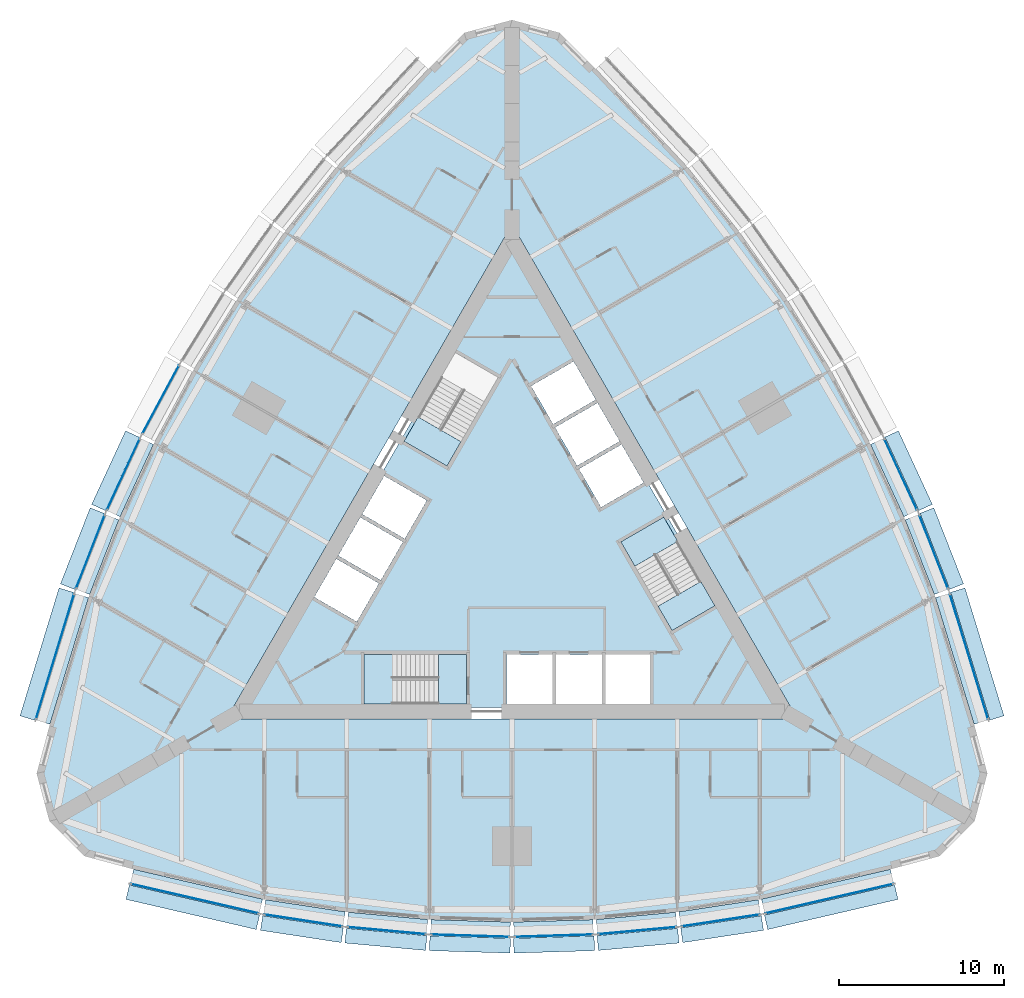
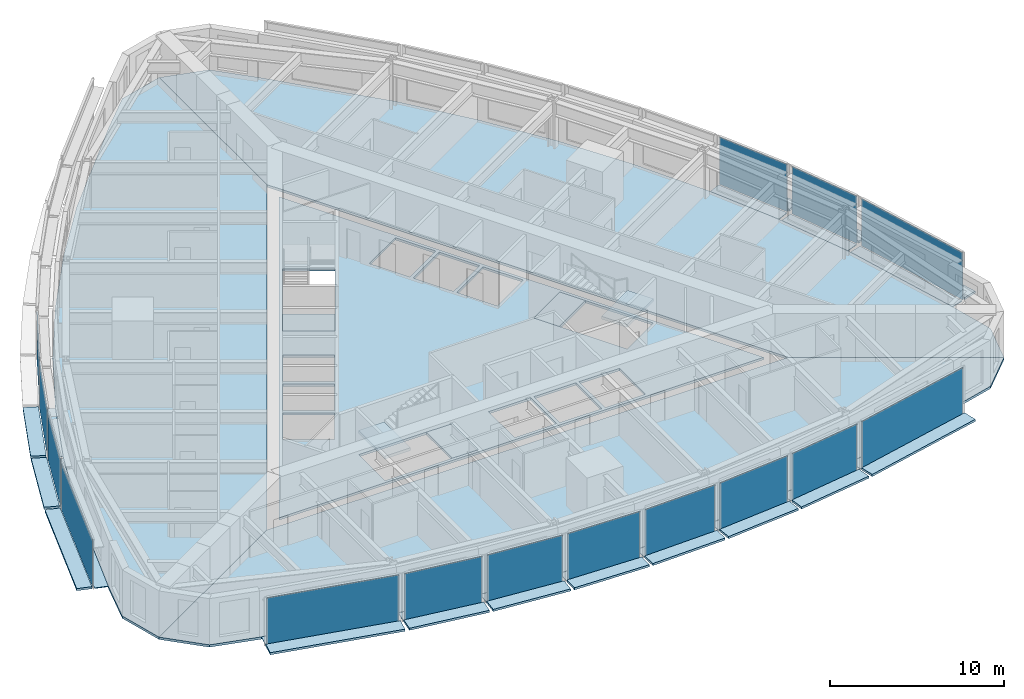
# One storey, part 6 of 14: 43 plates, 9 slabs, 18 elements without a shape of their own.
"""IFC4 building model written with IfcOpenShell, lengths in metres."""

from ifc_helpers import new_model, si_unit, direction, frame, origin, origin_2d, place, context, subcontext, project, spatial, polyline, rectangle, outline, extrude, material, layer, layer_set, type_object, element, aggregate, save


model = new_model("IFC4")

# Units and contexts
model_context = context("Model", 3, precision=1e-05, world=origin(), true_north=direction((0.0, 1.0)))
body_context = subcontext(model_context, "Body", "Model", "MODEL_VIEW")
ifc_project = project(units=[si_unit("LENGTHUNIT", "METRE"), si_unit("AREAUNIT", "SQUARE_METRE"), si_unit("VOLUMEUNIT", "CUBIC_METRE"), si_unit("PLANEANGLEUNIT", "RADIAN"), si_unit("MASSUNIT", "GRAM", prefix="KILO")], contexts=[model_context])

# Site, building, storey
site_placement = place(None, origin())
site = spatial("IfcSite", under=ifc_project, at=site_placement, CompositionType="ELEMENT")
building_placement = place(site_placement, origin())
building = spatial("IfcBuilding", under=site, at=building_placement, Name="Trikona Tower", CompositionType="ELEMENT")
storey_placement = place(building_placement, frame((0.0, 0.0, 96.5)))
storey = spatial("IfcBuildingStorey", under=building, at=storey_placement, Name="L25", CompositionType="ELEMENT", Elevation=96.5)

# Plates
ifc_material_1 = material(Name="Aluminium bar grating", Category="aluminium")
ifc_layer_1 = layer(ifc_material_1, 0.050048828125)
ifc_layer_set_1 = layer_set([ifc_layer_1], Name="Cavity catwalk grating")
plate_type_1 = type_object("IfcPlateType", Name="Cavity catwalk grating", PredefinedType="USERDEFINED", material=ifc_layer_set_1)
plate_1_placement = place(storey_placement, frame((-19.09228515625, -20.377197265625, -0.0498046875), z_axis=(0.0, 0.0, 1.0), x_axis=(0.974277718622, -0.225350675607, 0.0)))
element("IfcPlate", 1, at=plate_1_placement, inside=storey, type_object=plate_type_1, Name="Cavity catwalk L25-00", ObjectType="CATWALK GRATING", PredefinedType="USERDEFINED", context=body_context, shape_type="SweptSolid", body=[
    extrude(rectangle(XDim=8.01123046875, YDim=0.820068359375, at=origin_2d()), origin(), (0.0, 0.0, 1.0), 0.050048828125),
])
plate_2_placement = place(storey_placement, frame((-12.561767578125, -21.688720703125, -0.0498046875), z_axis=(0.0, 0.0, 1.0), x_axis=(0.988617896768, -0.150448177754, 0.0)))
element("IfcPlate", 2, at=plate_2_placement, inside=storey, type_object=plate_type_1, Name="Cavity catwalk L25-01", ObjectType="CATWALK GRATING", PredefinedType="USERDEFINED", context=body_context, shape_type="SweptSolid", body=[
    extrude(rectangle(XDim=4.857666015625, YDim=0.820068359375, at=origin_2d()), origin(), (0.0, 0.0, 1.0), 0.050048828125),
])
plate_3_placement = place(storey_placement, frame((-7.537353515625, -22.300537109375, -0.0498046875), z_axis=(0.0, 0.0, 1.0), x_axis=(0.995858098326, -0.090921108655, 0.0)))
element("IfcPlate", 3, at=plate_3_placement, inside=storey, type_object=plate_type_1, Name="Cavity catwalk L25-02", ObjectType="CATWALK GRATING", PredefinedType="USERDEFINED", context=body_context, shape_type="SweptSolid", body=[
    extrude(rectangle(XDim=4.82080078125, YDim=0.820068359375, at=origin_2d()), origin(), (0.0, 0.0, 1.0), 0.050048828125),
])
for number, where, z_axis, x_axis, name in (
    (4, (-2.512451171875, -22.606201171875, -0.0498046875), (0.0, 0.0, 1.0), (0.999537048889, -0.030425119525, 0.0), "Cavity catwalk L25-03"),
    (5, (2.512451171875, -22.606201171875, -0.0498046875), (0.0, 0.0, 1.0), (0.999537048889, 0.030425119525, 0.0), "Cavity catwalk L25-04"),
):
    element("IfcPlate", number, at=place(storey_placement, frame(where, z_axis=z_axis, x_axis=x_axis)), inside=storey, type_object=plate_type_1, Name=name, ObjectType="CATWALK GRATING", PredefinedType="USERDEFINED", context=body_context, shape_type="SweptSolid", body=[
        extrude(rectangle(XDim=4.80224609375, YDim=0.820068359375, at=origin_2d()), origin(), (0.0, 0.0, 1.0), 0.050048828125),
    ])
plate_4_placement = place(storey_placement, frame((7.537353515625, -22.300537109375, -0.0498046875), z_axis=(0.0, 0.0, 1.0), x_axis=(0.995858098326, 0.090921108655, 0.0)))
element("IfcPlate", 6, at=plate_4_placement, inside=storey, type_object=plate_type_1, Name="Cavity catwalk L25-05", ObjectType="CATWALK GRATING", PredefinedType="USERDEFINED", context=body_context, shape_type="SweptSolid", body=[
    extrude(rectangle(XDim=4.82080078125, YDim=0.820068359375, at=origin_2d()), origin(), (0.0, 0.0, 1.0), 0.050048828125),
])
plate_5_placement = place(storey_placement, frame((12.561767578125, -21.688720703125, -0.0498046875), z_axis=(0.0, 0.0, 1.0), x_axis=(0.988617896768, 0.150448177754, 0.0)))
element("IfcPlate", 7, at=plate_5_placement, inside=storey, type_object=plate_type_1, Name="Cavity catwalk L25-06", ObjectType="CATWALK GRATING", PredefinedType="USERDEFINED", context=body_context, shape_type="SweptSolid", body=[
    extrude(rectangle(XDim=4.857666015625, YDim=0.820068359375, at=origin_2d()), origin(), (0.0, 0.0, 1.0), 0.050048828125),
])
for number, where, z_axis, x_axis, name in (
    (8, (19.09228515625, -20.377197265625, -0.0498046875), (0.0, 0.0, 1.0), (0.974277718622, 0.225350675607, 0.0), "Cavity catwalk L25-07"),
    (9, (27.193359375, -6.345947265625, -0.0498046875), (0.0, 0.0, 1.0), (-0.291979449475, 0.956424592471, 0.0), "Cavity catwalk L25-12"),
):
    element("IfcPlate", number, at=place(storey_placement, frame(where, z_axis=z_axis, x_axis=x_axis)), inside=storey, type_object=plate_type_1, Name=name, ObjectType="CATWALK GRATING", PredefinedType="USERDEFINED", context=body_context, shape_type="SweptSolid", body=[
        extrude(rectangle(XDim=8.01123046875, YDim=0.820068359375, at=origin_2d()), origin(), (0.0, 0.0, 1.0), 0.050048828125),
    ])
plate_6_placement = place(storey_placement, frame((25.06396484375, -0.034423828125, -0.0498046875), z_axis=(0.0, 0.0, 1.0), x_axis=(-0.364008876551, 0.931395478726, 0.0)))
element("IfcPlate", 10, at=plate_6_placement, inside=storey, type_object=plate_type_1, Name="Cavity catwalk L25-13", ObjectType="CATWALK GRATING", PredefinedType="USERDEFINED", context=body_context, shape_type="SweptSolid", body=[
    extrude(rectangle(XDim=4.857666015625, YDim=0.820068359375, at=origin_2d()), origin(), (0.0, 0.0, 1.0), 0.050048828125),
])
for number, where, z_axis, x_axis, name in (
    (11, (23.081298828125, 4.622802734375, -0.0498046875), (0.0, 0.0, 1.0), (-0.41919381307, 0.907896771161, 0.0), "Cavity catwalk L25-14"),
    (12, (-23.081298828125, 4.622802734375, -0.0498046875), (0.0, 0.0, 1.0), (-0.41919381307, -0.907896771161, 0.0), "Cavity catwalk L25-29"),
):
    element("IfcPlate", number, at=place(storey_placement, frame(where, z_axis=z_axis, x_axis=x_axis)), inside=storey, type_object=plate_type_1, Name=name, ObjectType="CATWALK GRATING", PredefinedType="USERDEFINED", context=body_context, shape_type="SweptSolid", body=[
        extrude(rectangle(XDim=4.82080078125, YDim=0.820068359375, at=origin_2d()), origin(), (0.0, 0.0, 1.0), 0.050048828125),
    ])
plate_7_placement = place(storey_placement, frame((-25.06396484375, -0.034423828125, -0.0498046875), z_axis=(0.0, 0.0, 1.0), x_axis=(-0.364008876551, -0.931395478726, 0.0)))
element("IfcPlate", 13, at=plate_7_placement, inside=storey, type_object=plate_type_1, Name="Cavity catwalk L25-30", ObjectType="CATWALK GRATING", PredefinedType="USERDEFINED", context=body_context, shape_type="SweptSolid", body=[
    extrude(rectangle(XDim=4.857666015625, YDim=0.820068359375, at=origin_2d()), origin(), (0.0, 0.0, 1.0), 0.050048828125),
])
plate_8_placement = place(storey_placement, frame((-27.193359375, -6.345947265625, -0.0498046875), z_axis=(0.0, 0.0, 1.0), x_axis=(-0.291979449475, -0.956424592471, 0.0)))
element("IfcPlate", 14, at=plate_8_placement, inside=storey, type_object=plate_type_1, Name="Cavity catwalk L25-31", ObjectType="CATWALK GRATING", PredefinedType="USERDEFINED", context=body_context, shape_type="SweptSolid", body=[
    extrude(rectangle(XDim=8.01123046875, YDim=0.820068359375, at=origin_2d()), origin(), (0.0, 0.0, 1.0), 0.050048828125),
])

# Slabs
ifc_material_2 = material(Name="Concrete f'c 5000 psi lightweight on composite steel deck", Category="concrete")
ifc_layer_2 = layer(ifc_material_2, 0.1650390625)
ifc_layer_set_2 = layer_set([ifc_layer_2], Name="Composite floor slab 165")
slab_type_1 = type_object("IfcSlabType", Name="Composite floor slab 165", PredefinedType="FLOOR", material=ifc_layer_set_2)
slab_1_placement = place(storey_placement, frame((0.0, 0.0, -0.1650390625)))
element("IfcSlab", 15, at=slab_1_placement, inside=storey, type_object=slab_type_1, Name="Floor slab L25 core", PredefinedType="FLOOR", context=body_context, shape_type="SweptSolid", body=[
    extrude(outline(polyline([(-16.06689453125, -9.2763671875), (16.06689453125, -9.2763671875), (0.0, 18.552490234375), (-16.06689453125, -9.2763671875)]), holes=[polyline([(12.285400390625, -3.126220703125), (9.185302734375, 2.2431640625), (6.587158203125, 0.7431640625), (9.687255859375, -4.626220703125), (12.285400390625, -3.126220703125)]), polyline([(8.340087890625, -9.06640625), (8.340087890625, -6.086181640625), (5.659912109375, -6.086181640625), (5.659912109375, -9.06640625), (8.340087890625, -9.06640625)]), polyline([(5.390869140625, 2.835205078125), (7.9716796875, 4.3251953125), (6.631591796875, 6.646240234375), (4.05078125, 5.15625), (5.390869140625, 2.835205078125)]), polyline([(2.600830078125, 7.667724609375), (3.94091796875, 5.3466796875), (6.521484375, 6.8369140625), (5.181640625, 9.15771484375), (2.600830078125, 7.667724609375)]), polyline([(5.43994140625, -6.086181640625), (2.659912109375, -6.086181640625), (2.659912109375, -9.06640625), (5.43994140625, -9.06640625), (5.43994140625, -6.086181640625)]), polyline([(3.731689453125, 11.669189453125), (1.15087890625, 10.17919921875), (2.490966796875, 7.858154296875), (5.071533203125, 9.34814453125), (3.731689453125, 11.669189453125)]), polyline([(-0.340087890625, -6.086181640625), (-0.340087890625, -9.06640625), (2.43994140625, -9.06640625), (2.43994140625, -6.086181640625), (-0.340087890625, -6.086181640625)]), polyline([(-3.435302734375, 12.202392578125), (-6.535400390625, 6.8330078125), (-3.937255859375, 5.3330078125), (-0.837158203125, 10.702392578125), (-3.435302734375, 12.202392578125)]), polyline([(-8.949951171875, -9.076416015625), (-2.75, -9.076416015625), (-2.75, -6.076416015625), (-8.949951171875, -6.076416015625), (-8.949951171875, -9.076416015625)]), polyline([(-5.15087890625, 3.2509765625), (-7.731689453125, 4.740966796875), (-9.071533203125, 2.419921875), (-6.490966796875, 0.929931640625), (-5.15087890625, 3.2509765625)]), polyline([(-7.94091796875, -1.581298828125), (-6.600830078125, 0.739501953125), (-9.181640625, 2.2294921875), (-10.521484375, -0.09130859375), (-7.94091796875, -1.581298828125)]), polyline([(-11.9716796875, -2.602783203125), (-9.390869140625, -4.093017578125), (-8.05078125, -1.77197265625), (-10.631591796875, -0.281982421875), (-11.9716796875, -2.602783203125)])]), origin(), (0.0, 0.0, 1.0), 0.1650390625),
])
slab_2_placement = place(storey_placement, frame((0.0, 0.0, -0.1650390625)))
element("IfcSlab", 16, at=slab_2_placement, inside=storey, type_object=slab_type_1, Name="Floor slab L25 south", PredefinedType="FLOOR", context=body_context, shape_type="SweptSolid", body=[
    extrude(outline(polyline([(25.88671875, -18.279052734375), (28.0, -16.165771484375), (17.279296875, -9.976318359375), (-17.279296875, -9.976318359375), (-28.0, -16.165771484375), (-25.88671875, -18.279052734375), (-23.0, -19.052490234375), (-15.0, -20.903076171875), (-10.0, -21.663818359375), (-5.0, -22.120361328125), (0.0, -22.272705078125), (5.0, -22.120361328125), (10.0, -21.663818359375), (15.0, -20.903076171875), (23.0, -19.052490234375), (25.88671875, -18.279052734375)])), origin(), (0.0, 0.0, 1.0), 0.1650390625),
])
slab_3_placement = place(storey_placement, frame((0.0, 0.0, -0.1650390625)))
element("IfcSlab", 17, at=slab_3_placement, inside=storey, type_object=slab_type_1, Name="Floor slab L25 north-east", PredefinedType="FLOOR", context=body_context, shape_type="SweptSolid", body=[
    extrude(outline(polyline([(2.88671875, 31.55810546875), (0.0, 32.33154296875), (0.0, 19.95263671875), (17.279296875, -9.976318359375), (28.0, -16.165771484375), (28.7734375, -13.279052734375), (28.0, -10.392333984375), (25.6025390625, -2.538818359375), (23.761474609375, 2.171630859375), (21.65673828125, 6.72998046875), (19.28857421875, 11.13623046875), (16.65673828125, 15.390380859375), (13.761474609375, 19.4921875), (10.6025390625, 23.44189453125), (5.0, 29.44482421875), (2.88671875, 31.55810546875)])), origin(), (0.0, 0.0, 1.0), 0.1650390625),
])
slab_4_placement = place(storey_placement, frame((0.0, 0.0, -0.1650390625)))
element("IfcSlab", 18, at=slab_4_placement, inside=storey, type_object=slab_type_1, Name="Floor slab L25 north-west", PredefinedType="FLOOR", context=body_context, shape_type="SweptSolid", body=[
    extrude(outline(polyline([(0.0, 19.95263671875), (0.0, 32.33154296875), (-2.88671875, 31.55810546875), (-5.0, 29.44482421875), (-10.6025390625, 23.44189453125), (-13.761474609375, 19.4921875), (-16.65673828125, 15.390380859375), (-19.28857421875, 11.13623046875), (-21.65673828125, 6.72998046875), (-23.761474609375, 2.171630859375), (-25.6025390625, -2.538818359375), (-28.0, -10.392333984375), (-28.7734375, -13.279052734375), (-28.0, -16.165771484375), (-17.279296875, -9.976318359375), (0.0, 19.95263671875)])), origin(), (0.0, 0.0, 1.0), 0.1650390625),
])

# Curtain wall, plate
ifc_material_3 = material(Name="Aluminium curtain wall system", Category="aluminium")
curtain_wall_type = type_object("IfcCurtainWallType", Name="Curtain wall DS1", PredefinedType="NOTDEFINED", material=ifc_material_3)
curtain_wall_1_placement = place(storey_placement, origin())
curtain_wall_1 = element("IfcCurtainWall", 19, at=curtain_wall_1_placement, inside=storey, type_object=curtain_wall_type, Name="Curtain wall DS1 L25", PredefinedType="NOTDEFINED")
ifc_material_4 = material(Name="Laminated clear glass", Category="glass")
ifc_layer_3 = layer(ifc_material_4, 0.028076171875)
ifc_layer_set_3 = layer_set([ifc_layer_3], Name="Glass panel DS1")
plate_type_2 = type_object("IfcPlateType", Name="Glass panel DS1", PredefinedType="CURTAIN_PANEL", material=ifc_layer_set_3)
plate_9_placement = place(storey_placement, frame((-19.202880859375, -20.854736328125, 0.0), z_axis=(0.0, 0.0, 1.0), x_axis=(0.974279427173, -0.225343288756, 0.0)))
plate_9 = element("IfcPlate", 20, at=plate_9_placement, type_object=plate_type_2, Name="CW-DS1 panel 1.1", PredefinedType="CURTAIN_PANEL", context=body_context, shape_type="SweptSolid", body=[
    extrude(rectangle(XDim=7.93115234375, YDim=0.028076171875, at=origin_2d()), origin(), (0.0, 0.0, 1.0), 3.320068359375),
])
aggregate(curtain_wall_1, [plate_9])

curtain_wall_2_placement = place(storey_placement, origin())
curtain_wall_2 = element("IfcCurtainWall", 21, at=curtain_wall_2_placement, inside=storey, type_object=curtain_wall_type, Name="Curtain wall DS1 L25", PredefinedType="NOTDEFINED")
plate_10_placement = place(storey_placement, frame((-12.635498046875, -22.173095703125, 0.0), z_axis=(0.0, 0.0, 1.0), x_axis=(0.988619492156, -0.150437693845, 0.0)))
plate_10 = element("IfcPlate", 22, at=plate_10_placement, type_object=plate_type_2, Name="CW-DS1 panel 1.1", PredefinedType="CURTAIN_PANEL", context=body_context, shape_type="SweptSolid", body=[
    extrude(rectangle(XDim=4.777587890625, YDim=0.028076171875, at=origin_2d()), origin(), (0.0, 0.0, 1.0), 3.320068359375),
])
aggregate(curtain_wall_2, [plate_10])

curtain_wall_3_placement = place(storey_placement, origin())
curtain_wall_3 = element("IfcCurtainWall", 23, at=curtain_wall_3_placement, inside=storey, type_object=curtain_wall_type, Name="Curtain wall DS1 L25", PredefinedType="NOTDEFINED")
plate_11_placement = place(storey_placement, frame((-7.581787109375, -22.788330078125, 0.0), z_axis=(0.0, 0.0, 1.0), x_axis=(0.995857840485, -0.090923932737, 0.0)))
plate_11 = element("IfcPlate", 24, at=plate_11_placement, type_object=plate_type_2, Name="CW-DS1 panel 1.1", PredefinedType="CURTAIN_PANEL", context=body_context, shape_type="SweptSolid", body=[
    extrude(rectangle(XDim=4.74072265625, YDim=0.028076171875, at=origin_2d()), origin(), (0.0, 0.0, 1.0), 3.320068359375),
])
aggregate(curtain_wall_3, [plate_11])

curtain_wall_4_placement = place(storey_placement, origin())
curtain_wall_4 = element("IfcCurtainWall", 25, at=curtain_wall_4_placement, inside=storey, type_object=curtain_wall_type, Name="Curtain wall DS1 L25", PredefinedType="NOTDEFINED")
plate_12_placement = place(storey_placement, frame((-2.52734375, -23.09619140625, 0.0), z_axis=(0.0, 0.0, 1.0), x_axis=(0.999536695965, -0.030436711692, 0.0)))
plate_12 = element("IfcPlate", 26, at=plate_12_placement, type_object=plate_type_2, Name="CW-DS1 panel 1.1", PredefinedType="CURTAIN_PANEL", context=body_context, shape_type="SweptSolid", body=[
    extrude(rectangle(XDim=4.72216796875, YDim=0.028076171875, at=origin_2d()), origin(), (0.0, 0.0, 1.0), 3.320068359375),
])
aggregate(curtain_wall_4, [plate_12])

curtain_wall_5_placement = place(storey_placement, origin())
curtain_wall_5 = element("IfcCurtainWall", 27, at=curtain_wall_5_placement, inside=storey, type_object=curtain_wall_type, Name="Curtain wall DS1 L25", PredefinedType="NOTDEFINED")
plate_13_placement = place(storey_placement, frame((2.52734375, -23.09619140625, 0.0), z_axis=(0.0, 0.0, 1.0), x_axis=(0.999536695965, 0.030436711692, 0.0)))
plate_13 = element("IfcPlate", 28, at=plate_13_placement, type_object=plate_type_2, Name="CW-DS1 panel 1.1", PredefinedType="CURTAIN_PANEL", context=body_context, shape_type="SweptSolid", body=[
    extrude(rectangle(XDim=4.72216796875, YDim=0.028076171875, at=origin_2d()), origin(), (0.0, 0.0, 1.0), 3.320068359375),
])
aggregate(curtain_wall_5, [plate_13])

curtain_wall_6_placement = place(storey_placement, origin())
curtain_wall_6 = element("IfcCurtainWall", 29, at=curtain_wall_6_placement, inside=storey, type_object=curtain_wall_type, Name="Curtain wall DS1 L25", PredefinedType="NOTDEFINED")
plate_14_placement = place(storey_placement, frame((7.581787109375, -22.788330078125, 0.0), z_axis=(0.0, 0.0, 1.0), x_axis=(0.995857840485, 0.090923932737, 0.0)))
plate_14 = element("IfcPlate", 30, at=plate_14_placement, type_object=plate_type_2, Name="CW-DS1 panel 1.1", PredefinedType="CURTAIN_PANEL", context=body_context, shape_type="SweptSolid", body=[
    extrude(rectangle(XDim=4.74072265625, YDim=0.028076171875, at=origin_2d()), origin(), (0.0, 0.0, 1.0), 3.320068359375),
])
aggregate(curtain_wall_6, [plate_14])

curtain_wall_7_placement = place(storey_placement, origin())
curtain_wall_7 = element("IfcCurtainWall", 31, at=curtain_wall_7_placement, inside=storey, type_object=curtain_wall_type, Name="Curtain wall DS1 L25", PredefinedType="NOTDEFINED")
plate_15_placement = place(storey_placement, frame((12.635498046875, -22.173095703125, 0.0), z_axis=(0.0, 0.0, 1.0), x_axis=(0.988619492156, 0.150437693845, 0.0)))
plate_15 = element("IfcPlate", 32, at=plate_15_placement, type_object=plate_type_2, Name="CW-DS1 panel 1.1", PredefinedType="CURTAIN_PANEL", context=body_context, shape_type="SweptSolid", body=[
    extrude(rectangle(XDim=4.777587890625, YDim=0.028076171875, at=origin_2d()), origin(), (0.0, 0.0, 1.0), 3.320068359375),
])
aggregate(curtain_wall_7, [plate_15])

curtain_wall_8_placement = place(storey_placement, origin())
curtain_wall_8 = element("IfcCurtainWall", 33, at=curtain_wall_8_placement, inside=storey, type_object=curtain_wall_type, Name="Curtain wall DS1 L25", PredefinedType="NOTDEFINED")
plate_16_placement = place(storey_placement, frame((19.202880859375, -20.854736328125, 0.0), z_axis=(0.0, 0.0, 1.0), x_axis=(0.974279427173, 0.225343288756, 0.0)))
plate_16 = element("IfcPlate", 34, at=plate_16_placement, type_object=plate_type_2, Name="CW-DS1 panel 1.1", PredefinedType="CURTAIN_PANEL", context=body_context, shape_type="SweptSolid", body=[
    extrude(rectangle(XDim=7.93115234375, YDim=0.028076171875, at=origin_2d()), origin(), (0.0, 0.0, 1.0), 3.320068359375),
])
aggregate(curtain_wall_8, [plate_16])

curtain_wall_9_placement = place(storey_placement, origin())
curtain_wall_9 = element("IfcCurtainWall", 35, at=curtain_wall_9_placement, inside=storey, type_object=curtain_wall_type, Name="Curtain wall DS1 L25", PredefinedType="NOTDEFINED")
plate_17_placement = place(storey_placement, frame((27.662109375, -6.202880859375, 0.0), z_axis=(0.0, 0.0, 1.0), x_axis=(-0.291984287868, 0.956423115383, 0.0)))
plate_17 = element("IfcPlate", 36, at=plate_17_placement, type_object=plate_type_2, Name="CW-DS1 panel 1.1", PredefinedType="CURTAIN_PANEL", context=body_context, shape_type="SweptSolid", body=[
    extrude(rectangle(XDim=7.93115234375, YDim=0.028076171875, at=origin_2d()), origin(), (0.0, 0.0, 1.0), 3.320068359375),
])
aggregate(curtain_wall_9, [plate_17])

curtain_wall_10_placement = place(storey_placement, origin())
curtain_wall_10 = element("IfcCurtainWall", 37, at=curtain_wall_10_placement, inside=storey, type_object=curtain_wall_type, Name="Curtain wall DS1 L25", PredefinedType="NOTDEFINED")
plate_18_placement = place(storey_placement, frame((25.520263671875, 0.14404296875, 0.0), z_axis=(0.0, 0.0, 1.0), x_axis=(-0.36400756977, 0.931395989443, 0.0)))
plate_18 = element("IfcPlate", 38, at=plate_18_placement, type_object=plate_type_2, Name="CW-DS1 panel 1.1", PredefinedType="CURTAIN_PANEL", context=body_context, shape_type="SweptSolid", body=[
    extrude(rectangle(XDim=4.777587890625, YDim=0.028076171875, at=origin_2d()), origin(), (0.0, 0.0, 1.0), 3.320068359375),
])
aggregate(curtain_wall_10, [plate_18])

curtain_wall_11_placement = place(storey_placement, origin())
curtain_wall_11 = element("IfcCurtainWall", 39, at=curtain_wall_11_placement, inside=storey, type_object=curtain_wall_type, Name="Curtain wall DS1 L25", PredefinedType="NOTDEFINED")
plate_19_placement = place(storey_placement, frame((23.5263671875, 4.828125, 0.0), z_axis=(0.0, 0.0, 1.0), x_axis=(-0.419190155352, 0.907898459992, 0.0)))
plate_19 = element("IfcPlate", 40, at=plate_19_placement, type_object=plate_type_2, Name="CW-DS1 panel 1.1", PredefinedType="CURTAIN_PANEL", context=body_context, shape_type="SweptSolid", body=[
    extrude(rectangle(XDim=4.740966796875, YDim=0.028076171875, at=origin_2d()), origin(), (0.0, 0.0, 1.0), 3.320068359375),
])
aggregate(curtain_wall_11, [plate_19])

curtain_wall_12_placement = place(storey_placement, origin())
curtain_wall_12 = element("IfcCurtainWall", 41, at=curtain_wall_12_placement, inside=storey, type_object=curtain_wall_type, Name="Curtain wall DS1 L25", PredefinedType="NOTDEFINED")
plate_20_placement = place(storey_placement, frame((-21.265380859375, 9.359130859375, 0.0), z_axis=(0.0, 0.0, 1.0), x_axis=(-0.473408350896, -0.880843080975, 0.0)))
plate_20 = element("IfcPlate", 42, at=plate_20_placement, type_object=plate_type_2, Name="CW-DS1 panel 1.1", PredefinedType="CURTAIN_PANEL", context=body_context, shape_type="SweptSolid", body=[
    extrude(rectangle(XDim=4.72216796875, YDim=0.028076171875, at=origin_2d()), origin(), (0.0, 0.0, 1.0), 3.320068359375),
])
aggregate(curtain_wall_12, [plate_20])

curtain_wall_13_placement = place(storey_placement, origin())
curtain_wall_13 = element("IfcCurtainWall", 43, at=curtain_wall_13_placement, inside=storey, type_object=curtain_wall_type, Name="Curtain wall DS1 L25", PredefinedType="NOTDEFINED")
plate_21_placement = place(storey_placement, frame((-23.5263671875, 4.828125, 0.0), z_axis=(0.0, 0.0, 1.0), x_axis=(-0.419190155352, -0.907898459992, 0.0)))
plate_21 = element("IfcPlate", 44, at=plate_21_placement, type_object=plate_type_2, Name="CW-DS1 panel 1.1", PredefinedType="CURTAIN_PANEL", context=body_context, shape_type="SweptSolid", body=[
    extrude(rectangle(XDim=4.740966796875, YDim=0.028076171875, at=origin_2d()), origin(), (0.0, 0.0, 1.0), 3.320068359375),
])
aggregate(curtain_wall_13, [plate_21])

curtain_wall_14_placement = place(storey_placement, origin())
curtain_wall_14 = element("IfcCurtainWall", 45, at=curtain_wall_14_placement, inside=storey, type_object=curtain_wall_type, Name="Curtain wall DS1 L25", PredefinedType="NOTDEFINED")
plate_22_placement = place(storey_placement, frame((-25.520263671875, 0.14404296875, 0.0), z_axis=(0.0, 0.0, 1.0), x_axis=(-0.36400756977, -0.931395989443, 0.0)))
plate_22 = element("IfcPlate", 46, at=plate_22_placement, type_object=plate_type_2, Name="CW-DS1 panel 1.1", PredefinedType="CURTAIN_PANEL", context=body_context, shape_type="SweptSolid", body=[
    extrude(rectangle(XDim=4.777587890625, YDim=0.028076171875, at=origin_2d()), origin(), (0.0, 0.0, 1.0), 3.320068359375),
])
aggregate(curtain_wall_14, [plate_22])

curtain_wall_15_placement = place(storey_placement, origin())
curtain_wall_15 = element("IfcCurtainWall", 47, at=curtain_wall_15_placement, inside=storey, type_object=curtain_wall_type, Name="Curtain wall DS1 L25", PredefinedType="NOTDEFINED")
plate_23_placement = place(storey_placement, frame((-27.662109375, -6.202880859375, 0.0), z_axis=(0.0, 0.0, 1.0), x_axis=(-0.291984287868, -0.956423115383, 0.0)))
plate_23 = element("IfcPlate", 48, at=plate_23_placement, type_object=plate_type_2, Name="CW-DS1 panel 1.1", PredefinedType="CURTAIN_PANEL", context=body_context, shape_type="SweptSolid", body=[
    extrude(rectangle(XDim=7.93115234375, YDim=0.028076171875, at=origin_2d()), origin(), (0.0, 0.0, 1.0), 3.320068359375),
])
aggregate(curtain_wall_15, [plate_23])

# Plates
ifc_material_5 = material(Name="Aluminium plate fin, pale anodised, on stainless steel outriggers", Category="steel")
ifc_layer_4 = layer(ifc_material_5, 0.14990234375)
ifc_layer_set_4 = layer_set([ifc_layer_4], Name="Outer skin fin 900")
plate_type_3 = type_object("IfcPlateType", Name="Outer skin fin 900", PredefinedType="USERDEFINED", material=ifc_layer_set_4)
plate_24_placement = place(storey_placement, frame((-19.322265625, -21.37109375, 0.0), z_axis=(0.0, 0.0, 1.0), x_axis=(0.974277718622, -0.225350675607, 0.0)))
element("IfcPlate", 49, at=plate_24_placement, inside=storey, type_object=plate_type_3, Name="Outer skin fin L25-00", ObjectType="FIN", PredefinedType="USERDEFINED", context=body_context, shape_type="SweptSolid", body=[
    extrude(rectangle(XDim=8.09130859375, YDim=0.89990234375, at=origin_2d()), origin(), (0.0, 0.0, 1.0), 0.14990234375),
])
plate_25_placement = place(storey_placement, frame((-12.715087890625, -22.697265625, 0.0), z_axis=(0.0, 0.0, 1.0), x_axis=(0.988617896768, -0.150448177754, 0.0)))
element("IfcPlate", 50, at=plate_25_placement, inside=storey, type_object=plate_type_3, Name="Outer skin fin L25-01", ObjectType="FIN", PredefinedType="USERDEFINED", context=body_context, shape_type="SweptSolid", body=[
    extrude(rectangle(XDim=4.9375, YDim=0.89990234375, at=origin_2d()), origin(), (0.0, 0.0, 1.0), 0.14990234375),
])
plate_26_placement = place(storey_placement, frame((-7.6298828125, -23.316162109375, 0.0), z_axis=(0.0, 0.0, 1.0), x_axis=(0.995858098326, -0.090921108655, 0.0)))
element("IfcPlate", 51, at=plate_26_placement, inside=storey, type_object=plate_type_3, Name="Outer skin fin L25-02", ObjectType="FIN", PredefinedType="USERDEFINED", context=body_context, shape_type="SweptSolid", body=[
    extrude(rectangle(XDim=4.90087890625, YDim=0.89990234375, at=origin_2d()), origin(), (0.0, 0.0, 1.0), 0.14990234375),
])
for number, where, z_axis, x_axis, name in (
    (52, (-2.54345703125, -23.625732421875, 0.0), (0.0, 0.0, 1.0), (0.999537048889, -0.030425119525, 0.0), "Outer skin fin L25-03"),
    (53, (2.54345703125, -23.625732421875, 0.0), (0.0, 0.0, 1.0), (0.999537048889, 0.030425119525, 0.0), "Outer skin fin L25-04"),
):
    element("IfcPlate", number, at=place(storey_placement, frame(where, z_axis=z_axis, x_axis=x_axis)), inside=storey, type_object=plate_type_3, Name=name, ObjectType="FIN", PredefinedType="USERDEFINED", context=body_context, shape_type="SweptSolid", body=[
        extrude(rectangle(XDim=4.88232421875, YDim=0.89990234375, at=origin_2d()), origin(), (0.0, 0.0, 1.0), 0.14990234375),
    ])
plate_27_placement = place(storey_placement, frame((7.6298828125, -23.316162109375, 0.0), z_axis=(0.0, 0.0, 1.0), x_axis=(0.995858098326, 0.090921108655, 0.0)))
element("IfcPlate", 54, at=plate_27_placement, inside=storey, type_object=plate_type_3, Name="Outer skin fin L25-05", ObjectType="FIN", PredefinedType="USERDEFINED", context=body_context, shape_type="SweptSolid", body=[
    extrude(rectangle(XDim=4.90087890625, YDim=0.89990234375, at=origin_2d()), origin(), (0.0, 0.0, 1.0), 0.14990234375),
])
plate_28_placement = place(storey_placement, frame((12.715087890625, -22.697265625, 0.0), z_axis=(0.0, 0.0, 1.0), x_axis=(0.988617896768, 0.150448177754, 0.0)))
element("IfcPlate", 55, at=plate_28_placement, inside=storey, type_object=plate_type_3, Name="Outer skin fin L25-06", ObjectType="FIN", PredefinedType="USERDEFINED", context=body_context, shape_type="SweptSolid", body=[
    extrude(rectangle(XDim=4.9375, YDim=0.89990234375, at=origin_2d()), origin(), (0.0, 0.0, 1.0), 0.14990234375),
])
for number, where, z_axis, x_axis, name in (
    (56, (19.322265625, -21.37109375, 0.0), (0.0, 0.0, 1.0), (0.974277718622, 0.225350675607, 0.0), "Outer skin fin L25-07"),
    (57, (28.1689453125, -6.048095703125, 0.0), (0.0, 0.0, 1.0), (-0.291979449475, 0.956424592471, 0.0), "Outer skin fin L25-12"),
):
    element("IfcPlate", number, at=place(storey_placement, frame(where, z_axis=z_axis, x_axis=x_axis)), inside=storey, type_object=plate_type_3, Name=name, ObjectType="FIN", PredefinedType="USERDEFINED", context=body_context, shape_type="SweptSolid", body=[
        extrude(rectangle(XDim=8.09130859375, YDim=0.89990234375, at=origin_2d()), origin(), (0.0, 0.0, 1.0), 0.14990234375),
    ])
plate_29_placement = place(storey_placement, frame((26.013916015625, 0.3369140625, 0.0), z_axis=(0.0, 0.0, 1.0), x_axis=(-0.364008876551, 0.931395478726, 0.0)))
element("IfcPlate", 58, at=plate_29_placement, inside=storey, type_object=plate_type_3, Name="Outer skin fin L25-13", ObjectType="FIN", PredefinedType="USERDEFINED", context=body_context, shape_type="SweptSolid", body=[
    extrude(rectangle(XDim=4.9375, YDim=0.89990234375, at=origin_2d()), origin(), (0.0, 0.0, 1.0), 0.14990234375),
])
for number, where, z_axis, x_axis, name in (
    (59, (24.00732421875, 5.05029296875, 0.0), (0.0, 0.0, 1.0), (-0.41919381307, 0.907896771161, 0.0), "Outer skin fin L25-14"),
    (60, (-24.00732421875, 5.05029296875, 0.0), (0.0, 0.0, 1.0), (-0.41919381307, -0.907896771161, 0.0), "Outer skin fin L25-29"),
):
    element("IfcPlate", number, at=place(storey_placement, frame(where, z_axis=z_axis, x_axis=x_axis)), inside=storey, type_object=plate_type_3, Name=name, ObjectType="FIN", PredefinedType="USERDEFINED", context=body_context, shape_type="SweptSolid", body=[
        extrude(rectangle(XDim=4.90087890625, YDim=0.89990234375, at=origin_2d()), origin(), (0.0, 0.0, 1.0), 0.14990234375),
    ])
plate_30_placement = place(storey_placement, frame((-26.013916015625, 0.3369140625, 0.0), z_axis=(0.0, 0.0, 1.0), x_axis=(-0.364008876551, -0.931395478726, 0.0)))
element("IfcPlate", 61, at=plate_30_placement, inside=storey, type_object=plate_type_3, Name="Outer skin fin L25-30", ObjectType="FIN", PredefinedType="USERDEFINED", context=body_context, shape_type="SweptSolid", body=[
    extrude(rectangle(XDim=4.9375, YDim=0.89990234375, at=origin_2d()), origin(), (0.0, 0.0, 1.0), 0.14990234375),
])
plate_31_placement = place(storey_placement, frame((-28.1689453125, -6.048095703125, 0.0), z_axis=(0.0, 0.0, 1.0), x_axis=(-0.291979449475, -0.956424592471, 0.0)))
element("IfcPlate", 62, at=plate_31_placement, inside=storey, type_object=plate_type_3, Name="Outer skin fin L25-31", ObjectType="FIN", PredefinedType="USERDEFINED", context=body_context, shape_type="SweptSolid", body=[
    extrude(rectangle(XDim=8.09130859375, YDim=0.89990234375, at=origin_2d()), origin(), (0.0, 0.0, 1.0), 0.14990234375),
])

# Stair, slabs
ifc_material_6 = material(Name="Concrete f'c 5000 psi", Category="concrete")
stair_type = type_object("IfcStairType", Name="Core stair", PredefinedType="HALF_TURN_STAIR", material=ifc_material_6)
stair_1_placement = place(storey_placement, origin())
stair_1 = element("IfcStair", 63, at=stair_1_placement, inside=storey, type_object=stair_type, Name="Stair A L25", PredefinedType="HALF_TURN_STAIR")
ifc_material_7 = material(Name="Concrete f'c 5000 psi", Category="concrete")
ifc_layer_5 = layer(ifc_material_7, 0.199951171875)
ifc_layer_set_5 = layer_set([ifc_layer_5], Name="Stair landing 200")
slab_type_2 = type_object("IfcSlabType", Name="Stair landing 200", PredefinedType="LANDING", material=ifc_layer_set_5)
slab_5_placement = place(storey_placement, frame((0.0, 0.0, -0.199951171875)))
slab_5 = element("IfcSlab", 64, at=slab_5_placement, type_object=slab_type_2, Name="ST-A landing 1", PredefinedType="LANDING", context=body_context, shape_type="SweptSolid", body=[
    extrude(outline(polyline([(-4.452880859375, -6.076416015625), (-2.75, -6.076416015625), (-2.75, -9.076416015625), (-4.452880859375, -9.076416015625), (-4.452880859375, -6.076416015625)])), origin(), (0.0, 0.0, 1.0), 0.199951171875),
])
slab_6_placement = place(storey_placement, frame((0.0, 0.0, 1.5)))
slab_6 = element("IfcSlab", 65, at=slab_6_placement, type_object=slab_type_2, Name="ST-A landing 2", PredefinedType="LANDING", context=body_context, shape_type="SweptSolid", body=[
    extrude(outline(polyline([(-8.949951171875, -6.076416015625), (-7.2470703125, -6.076416015625), (-7.2470703125, -9.076416015625), (-8.949951171875, -9.076416015625), (-8.949951171875, -6.076416015625)])), origin(), (0.0, 0.0, 1.0), 0.199951171875),
])
aggregate(stair_1, [slab_5, slab_6])

stair_2_placement = place(storey_placement, origin())
stair_2 = element("IfcStair", 66, at=stair_2_placement, inside=storey, type_object=stair_type, Name="Stair B L25", PredefinedType="HALF_TURN_STAIR")
slab_7_placement = place(storey_placement, frame((0.0, 0.0, -0.199951171875)))
slab_7 = element("IfcSlab", 67, at=slab_7_placement, type_object=slab_type_2, Name="ST-B landing 1", PredefinedType="LANDING", context=body_context, shape_type="SweptSolid", body=[
    extrude(outline(polyline([(7.438720703125, -0.731689453125), (6.587158203125, 0.7431640625), (9.185302734375, 2.2431640625), (10.036865234375, 0.768310546875), (7.438720703125, -0.731689453125)])), origin(), (0.0, 0.0, 1.0), 0.199951171875),
])
slab_8_placement = place(storey_placement, frame((0.0, 0.0, 1.5)))
slab_8 = element("IfcSlab", 68, at=slab_8_placement, type_object=slab_type_2, Name="ST-B landing 2", PredefinedType="LANDING", context=body_context, shape_type="SweptSolid", body=[
    extrude(outline(polyline([(9.687255859375, -4.626220703125), (8.835693359375, -3.1513671875), (11.433837890625, -1.6513671875), (12.285400390625, -3.126220703125), (9.687255859375, -4.626220703125)])), origin(), (0.0, 0.0, 1.0), 0.199951171875),
])
aggregate(stair_2, [slab_7, slab_8])

# Stair, slab
stair_3_placement = place(storey_placement, origin())
stair_3 = element("IfcStair", 69, at=stair_3_placement, inside=storey, type_object=stair_type, Name="Stair C L25", PredefinedType="HALF_TURN_STAIR")
slab_9_placement = place(storey_placement, frame((0.0, 0.0, -0.199951171875)))
slab_9 = element("IfcSlab", 70, at=slab_9_placement, type_object=slab_type_2, Name="ST-C landing 1", PredefinedType="LANDING", context=body_context, shape_type="SweptSolid", body=[
    extrude(outline(polyline([(-3.085693359375, 6.807861328125), (-3.937255859375, 5.3330078125), (-6.535400390625, 6.8330078125), (-5.683837890625, 8.307861328125), (-3.085693359375, 6.807861328125)])), origin(), (0.0, 0.0, 1.0), 0.199951171875),
])
aggregate(stair_3, [slab_9])

save(model, "model.ifc")
